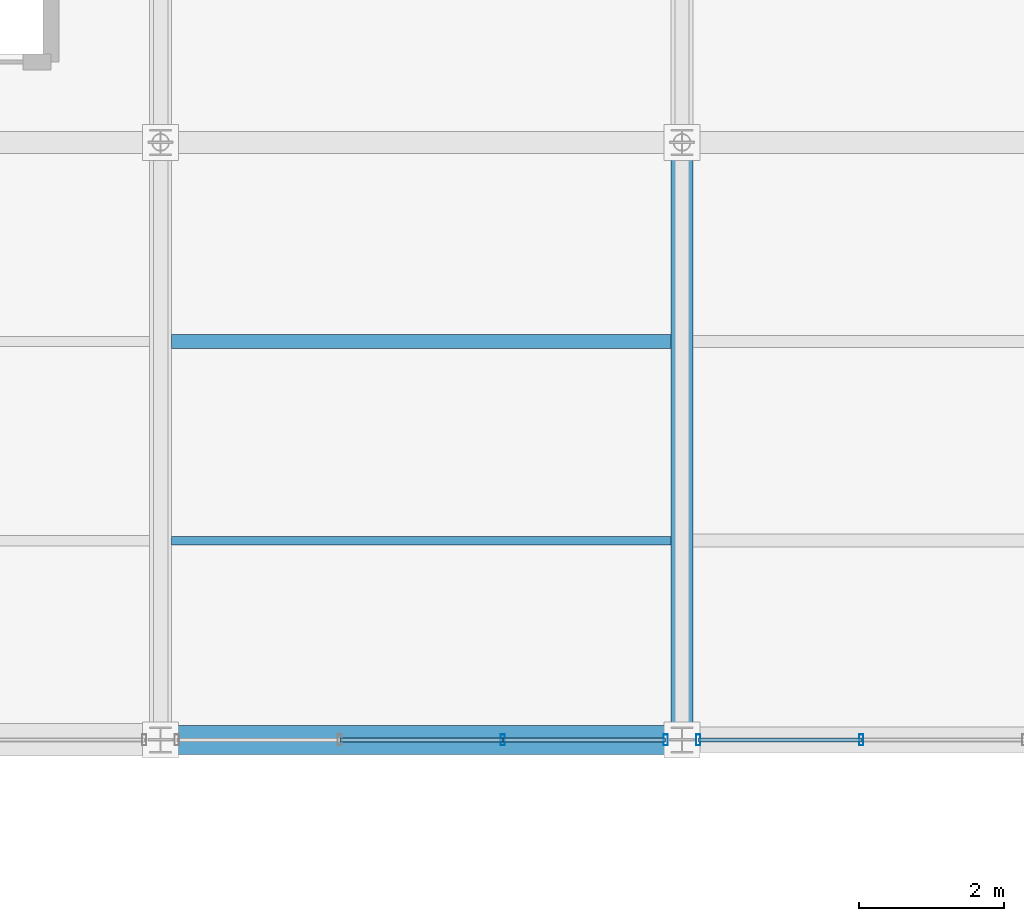
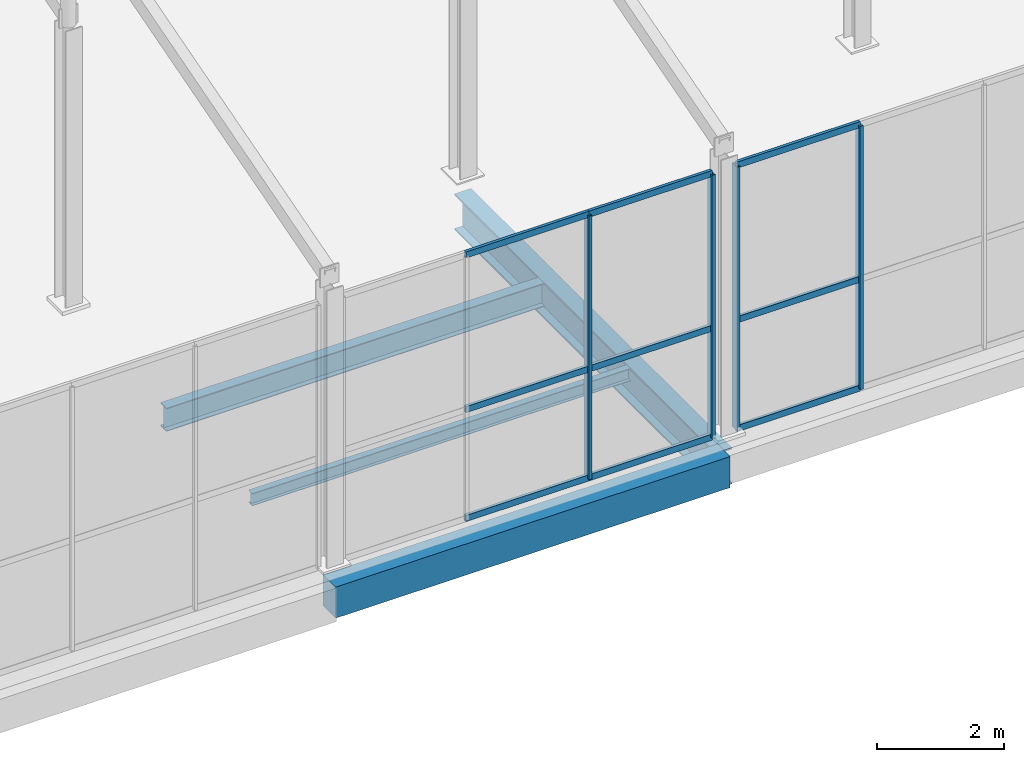
# One storey, part 23 of 141: 13 members, 4 beams, 2 elements without a shape of their own.
"""IFC4 building model written with IfcOpenShell, lengths in metres."""

from ifc_helpers import new_model, si_unit, direction, frame, origin, origin_2d, place, context, subcontext, project, spatial, rectangle, hollow_rectangle, i_section, extrude, material, layer, layer_set, material_profile, profile_set, type_object, element, aggregate, save


model = new_model("IFC4")

# Units and contexts
model_context = context("Model", 3, precision=1e-05, world=origin(), true_north=direction((0.0, 1.0)))
body_context = subcontext(model_context, "Body", "Model", "MODEL_VIEW")
ifc_project = project(units=[si_unit("LENGTHUNIT", "METRE"), si_unit("AREAUNIT", "SQUARE_METRE"), si_unit("VOLUMEUNIT", "CUBIC_METRE"), si_unit("PLANEANGLEUNIT", "RADIAN"), si_unit("MASSUNIT", "GRAM", prefix="KILO")], contexts=[model_context])

# Site, building, storey
site_placement = place(None, origin())
site = spatial("IfcSite", under=ifc_project, at=site_placement, CompositionType="ELEMENT")
building_placement = place(site_placement, origin())
building = spatial("IfcBuilding", under=site, at=building_placement, Name="Sundgate Opera House", CompositionType="ELEMENT")
storey_placement = place(building_placement, frame((0.0, 0.0, 11.39990234375)))
storey = spatial("IfcBuildingStorey", under=building, at=storey_placement, Name="L02", CompositionType="ELEMENT", Elevation=11.39990234375)

# Beams
ifc_material_1 = material(Name="Steel S355J2", Category="steel")
ifc_material_profile_1 = material_profile(ifc_material_1, i_section(OverallWidth=0.300048828125, OverallDepth=0.699951171875, WebThickness=0.01708984375, FlangeThickness=0.031982421875, at=origin_2d()), Name="HEB 700")
ifc_profile_set_1 = profile_set([ifc_material_profile_1], Name="Steel S355J2")
beam_type_1 = type_object("IfcBeamType", Name="BM-GR-HEB700", PredefinedType="BEAM", material=ifc_profile_set_1)
beam_1_placement = place(storey_placement, frame((117.0, 8.25, -0.699951171875), z_axis=(0.0, 1.0, 0.0), x_axis=(-1.0, 0.0, 0.0)))
element("IfcBeam", 1, at=beam_1_placement, inside=storey, type_object=beam_type_1, Name="L02 Primary N-S Girder B1879", PredefinedType="BEAM", context=body_context, shape_type="SweptSolid", body=[
    extrude(i_section(OverallWidth=0.300048828125, OverallDepth=0.699951171875, WebThickness=0.01708984375, FlangeThickness=0.031982421875, at=origin_2d()), origin(), (0.0, 0.0, 1.0), 8.25),
])
ifc_material_2 = material(Name="Steel S355J2", Category="steel")
ifc_material_profile_2 = material_profile(ifc_material_2, i_section(OverallWidth=0.1201171875, OverallDepth=0.239990234375, WebThickness=0.006103515625, FlangeThickness=0.009765625, at=origin_2d()), Name="IPE 240")
ifc_profile_set_2 = profile_set([ifc_material_profile_2], Name="Steel S355J2")
beam_type_2 = type_object("IfcBeamType", Name="BM-JS-IPE240", PredefinedType="JOIST", material=ifc_profile_set_2)
beam_2_placement = place(storey_placement, frame((109.949951171875, 11.0, -0.469970703125), z_axis=(1.0, 0.0, 0.0), x_axis=(0.0, 1.0, 0.0)))
element("IfcBeam", 2, at=beam_2_placement, inside=storey, type_object=beam_type_2, Name="L02 Secondary Floor Joist B2149", PredefinedType="JOIST", context=body_context, shape_type="SweptSolid", body=[
    extrude(i_section(OverallWidth=0.1201171875, OverallDepth=0.239990234375, WebThickness=0.006103515625, FlangeThickness=0.009765625, at=origin_2d()), origin(), (0.0, 0.0, 1.0), 6.900146484375),
])
ifc_material_3 = material(Name="Steel S355J2", Category="steel")
ifc_material_profile_3 = material_profile(ifc_material_3, i_section(OverallWidth=0.18994140625, OverallDepth=0.449951171875, WebThickness=0.009521484375, FlangeThickness=0.0146484375, at=origin_2d()), Name="IPE 450")
ifc_profile_set_3 = profile_set([ifc_material_profile_3], Name="Steel S355J2")
beam_type_3 = type_object("IfcBeamType", Name="BM-JS-IPE450", PredefinedType="JOIST", material=ifc_profile_set_3)
beam_3_placement = place(storey_placement, frame((109.949951171875, 13.75, -0.574951171875), z_axis=(1.0, 0.0, 0.0), x_axis=(0.0, 1.0, 0.0)))
element("IfcBeam", 3, at=beam_3_placement, inside=storey, type_object=beam_type_3, Name="L02 Secondary Floor Joist B2150", PredefinedType="JOIST", context=body_context, shape_type="SweptSolid", body=[
    extrude(i_section(OverallWidth=0.18994140625, OverallDepth=0.449951171875, WebThickness=0.009521484375, FlangeThickness=0.0146484375, at=origin_2d()), origin(), (0.0, 0.0, 1.0), 6.900146484375),
])
ifc_material_4 = material(Name="Concrete C35/45", Category="concrete")
ifc_material_profile_4 = material_profile(ifc_material_4, rectangle(XDim=0.39990234375, YDim=0.60009765625, at=origin_2d()), Name="RC 400x600")
ifc_profile_set_4 = profile_set([ifc_material_profile_4], Name="Concrete C35/45")
beam_type_4 = type_object("IfcBeamType", Name="BM-RC-400x600", PredefinedType="BEAM", material=ifc_profile_set_4)
beam_4_placement = place(storey_placement, frame((109.800048828125, 8.25, -0.64990234375), z_axis=(1.0, 0.0, 0.0), x_axis=(0.0, 1.0, 0.0)))
element("IfcBeam", 4, at=beam_4_placement, inside=storey, type_object=beam_type_4, Name="L02 Primary E-W Girder B1965", PredefinedType="BEAM", context=body_context, shape_type="SweptSolid", body=[
    extrude(rectangle(XDim=0.39990234375, YDim=0.60009765625, at=origin_2d()), origin(), (0.0, 0.0, 1.0), 7.199951171875),
])

# Curtain wall, members
ifc_material_5 = material(Name="Anodized aluminium and low-iron glass", Category="aluminium")
ifc_layer = layer(ifc_material_5, 0.14990234375)
ifc_layer_set = layer_set([ifc_layer], Name="Anodized aluminium and low-iron glass")
curtain_wall_type = type_object("IfcCurtainWallType", Name="CW-WORKSHOP-DARK", PredefinedType="NOTDEFINED", material=ifc_layer_set)
curtain_wall_1_placement = place(storey_placement, origin())
curtain_wall_1 = element("IfcCurtainWall", 5, at=curtain_wall_1_placement, inside=storey, type_object=curtain_wall_type, Name="L02 Curtain Wall CW156", PredefinedType="NOTDEFINED")
ifc_material_6 = material(Name="Anodized aluminium EN AW-6063", Category="aluminium")
ifc_material_profile_5 = material_profile(ifc_material_6, hollow_rectangle(XDim=0.06005859375, YDim=0.14990234375, WallThickness=0.00390625, at=origin_2d()), Name="CWM 150x60x4")
ifc_profile_set_5 = profile_set([ifc_material_profile_5], Name="Anodized aluminium EN AW-6063")
member_type_1 = type_object("IfcMemberType", Name="CWM-ALU-150x60", PredefinedType="MULLION", material=ifc_profile_set_5)
member_1_placement = place(storey_placement, frame((116.77490234375, 8.25, 0.0), z_axis=(0.0, 0.0, 1.0), x_axis=(1.0, 0.0, 0.0)))
member_1 = element("IfcMember", 6, at=member_1_placement, type_object=member_type_1, Name="CW156 Mullion 1", PredefinedType="MULLION", context=body_context, shape_type="SweptSolid", body=[
    extrude(hollow_rectangle(XDim=0.06005859375, YDim=0.14990234375, WallThickness=0.00390625, at=origin_2d()), origin(), (0.0, 0.0, 1.0), 5.085205078125),
])
member_2_placement = place(storey_placement, frame((114.52490234375, 8.25, 0.0), z_axis=(0.0, 0.0, 1.0), x_axis=(1.0, 0.0, 0.0)))
member_2 = element("IfcMember", 7, at=member_2_placement, type_object=member_type_1, Name="CW156 Mullion 2", PredefinedType="MULLION", context=body_context, shape_type="SweptSolid", body=[
    extrude(hollow_rectangle(XDim=0.06005859375, YDim=0.14990234375, WallThickness=0.00390625, at=origin_2d()), origin(), (0.0, 0.0, 1.0), 5.085205078125),
])

curtain_wall_2_placement = place(storey_placement, origin())
curtain_wall_2 = element("IfcCurtainWall", 8, at=curtain_wall_2_placement, inside=storey, type_object=curtain_wall_type, Name="L02 Curtain Wall CW157", PredefinedType="NOTDEFINED")
member_3_placement = place(storey_placement, frame((119.47509765625, 8.25, 0.0), z_axis=(0.0, 0.0, 1.0), x_axis=(1.0, 0.0, 0.0)))
member_3 = element("IfcMember", 9, at=member_3_placement, type_object=member_type_1, Name="CW157 Mullion 3", PredefinedType="MULLION", context=body_context, shape_type="SweptSolid", body=[
    extrude(hollow_rectangle(XDim=0.06005859375, YDim=0.14990234375, WallThickness=0.00390625, at=origin_2d()), origin(), (0.0, 0.0, 1.0), 5.085205078125),
])
member_4_placement = place(storey_placement, frame((117.22509765625, 8.25, 0.0), z_axis=(0.0, 0.0, 1.0), x_axis=(1.0, 0.0, 0.0)))
member_4 = element("IfcMember", 10, at=member_4_placement, type_object=member_type_1, Name="CW157 Mullion 4", PredefinedType="MULLION", context=body_context, shape_type="SweptSolid", body=[
    extrude(hollow_rectangle(XDim=0.06005859375, YDim=0.14990234375, WallThickness=0.00390625, at=origin_2d()), origin(), (0.0, 0.0, 1.0), 5.085205078125),
])

# Member
ifc_material_7 = material(Name="Anodized aluminium EN AW-6063", Category="aluminium")
ifc_material_profile_6 = material_profile(ifc_material_7, hollow_rectangle(XDim=0.054931640625, YDim=0.1201171875, WallThickness=0.00390625, at=origin_2d()), Name="CWT 120x55x4")
ifc_profile_set_6 = profile_set([ifc_material_profile_6], Name="Anodized aluminium EN AW-6063")
member_type_2 = type_object("IfcMemberType", Name="CWT-ALU-120x55", PredefinedType="USERDEFINED", material=ifc_profile_set_6)
member_5_placement = place(storey_placement, frame((116.77490234375, 8.25, 0.0), z_axis=(-1.0, 0.0, 0.0), x_axis=(0.0, -1.0, 0.0)))
member_5 = element("IfcMember", 11, at=member_5_placement, type_object=member_type_2, Name="CW156 Transom 1", ObjectType="TRANSOM", PredefinedType="USERDEFINED", context=body_context, shape_type="SweptSolid", body=[
    extrude(hollow_rectangle(XDim=0.054931640625, YDim=0.1201171875, WallThickness=0.00390625, at=origin_2d()), origin(), (0.0, 0.0, 1.0), 2.25),
])

member_6_placement = place(storey_placement, frame((116.77490234375, 8.25, 2.10009765625), z_axis=(-1.0, 0.0, 0.0), x_axis=(0.0, -1.0, 0.0)))
member_6 = element("IfcMember", 12, at=member_6_placement, type_object=member_type_2, Name="CW156 Transom 2", ObjectType="TRANSOM", PredefinedType="USERDEFINED", context=body_context, shape_type="SweptSolid", body=[
    extrude(hollow_rectangle(XDim=0.054931640625, YDim=0.1201171875, WallThickness=0.00390625, at=origin_2d()), origin(), (0.0, 0.0, 1.0), 2.25),
])

member_7_placement = place(storey_placement, frame((116.77490234375, 8.25, 5.085205078125), z_axis=(-1.0, 0.0, 0.0), x_axis=(0.0, -1.0, 0.0)))
member_7 = element("IfcMember", 13, at=member_7_placement, type_object=member_type_2, Name="CW156 Transom 3", ObjectType="TRANSOM", PredefinedType="USERDEFINED", context=body_context, shape_type="SweptSolid", body=[
    extrude(hollow_rectangle(XDim=0.054931640625, YDim=0.1201171875, WallThickness=0.00390625, at=origin_2d()), origin(), (0.0, 0.0, 1.0), 2.25),
])

member_8_placement = place(storey_placement, frame((114.52490234375, 8.25, 0.0), z_axis=(-1.0, 0.0, 0.0), x_axis=(0.0, -1.0, 0.0)))
member_8 = element("IfcMember", 14, at=member_8_placement, type_object=member_type_2, Name="CW156 Transom 4", ObjectType="TRANSOM", PredefinedType="USERDEFINED", context=body_context, shape_type="SweptSolid", body=[
    extrude(hollow_rectangle(XDim=0.054931640625, YDim=0.1201171875, WallThickness=0.00390625, at=origin_2d()), origin(), (0.0, 0.0, 1.0), 2.25),
])

member_9_placement = place(storey_placement, frame((114.52490234375, 8.25, 2.10009765625), z_axis=(-1.0, 0.0, 0.0), x_axis=(0.0, -1.0, 0.0)))
member_9 = element("IfcMember", 15, at=member_9_placement, type_object=member_type_2, Name="CW156 Transom 5", ObjectType="TRANSOM", PredefinedType="USERDEFINED", context=body_context, shape_type="SweptSolid", body=[
    extrude(hollow_rectangle(XDim=0.054931640625, YDim=0.1201171875, WallThickness=0.00390625, at=origin_2d()), origin(), (0.0, 0.0, 1.0), 2.25),
])

member_10_placement = place(storey_placement, frame((114.52490234375, 8.25, 5.085205078125), z_axis=(-1.0, 0.0, 0.0), x_axis=(0.0, -1.0, 0.0)))
member_10 = element("IfcMember", 16, at=member_10_placement, type_object=member_type_2, Name="CW156 Transom 6", ObjectType="TRANSOM", PredefinedType="USERDEFINED", context=body_context, shape_type="SweptSolid", body=[
    extrude(hollow_rectangle(XDim=0.054931640625, YDim=0.1201171875, WallThickness=0.00390625, at=origin_2d()), origin(), (0.0, 0.0, 1.0), 2.25),
])

aggregate(curtain_wall_1, [member_1, member_2, member_5, member_6, member_7, member_8, member_9, member_10])

member_11_placement = place(storey_placement, frame((119.47509765625, 8.25, 0.0), z_axis=(-1.0, 0.0, 0.0), x_axis=(0.0, -1.0, 0.0)))
member_11 = element("IfcMember", 17, at=member_11_placement, type_object=member_type_2, Name="CW157 Transom 7", ObjectType="TRANSOM", PredefinedType="USERDEFINED", context=body_context, shape_type="SweptSolid", body=[
    extrude(hollow_rectangle(XDim=0.054931640625, YDim=0.1201171875, WallThickness=0.00390625, at=origin_2d()), origin(), (0.0, 0.0, 1.0), 2.25),
])

member_12_placement = place(storey_placement, frame((119.47509765625, 8.25, 2.10009765625), z_axis=(-1.0, 0.0, 0.0), x_axis=(0.0, -1.0, 0.0)))
member_12 = element("IfcMember", 18, at=member_12_placement, type_object=member_type_2, Name="CW157 Transom 8", ObjectType="TRANSOM", PredefinedType="USERDEFINED", context=body_context, shape_type="SweptSolid", body=[
    extrude(hollow_rectangle(XDim=0.054931640625, YDim=0.1201171875, WallThickness=0.00390625, at=origin_2d()), origin(), (0.0, 0.0, 1.0), 2.25),
])

member_13_placement = place(storey_placement, frame((119.47509765625, 8.25, 5.085205078125), z_axis=(-1.0, 0.0, 0.0), x_axis=(0.0, -1.0, 0.0)))
member_13 = element("IfcMember", 19, at=member_13_placement, type_object=member_type_2, Name="CW157 Transom 9", ObjectType="TRANSOM", PredefinedType="USERDEFINED", context=body_context, shape_type="SweptSolid", body=[
    extrude(hollow_rectangle(XDim=0.054931640625, YDim=0.1201171875, WallThickness=0.00390625, at=origin_2d()), origin(), (0.0, 0.0, 1.0), 2.25),
])

aggregate(curtain_wall_2, [member_3, member_4, member_11, member_12, member_13])

save(model, "model.ifc")
